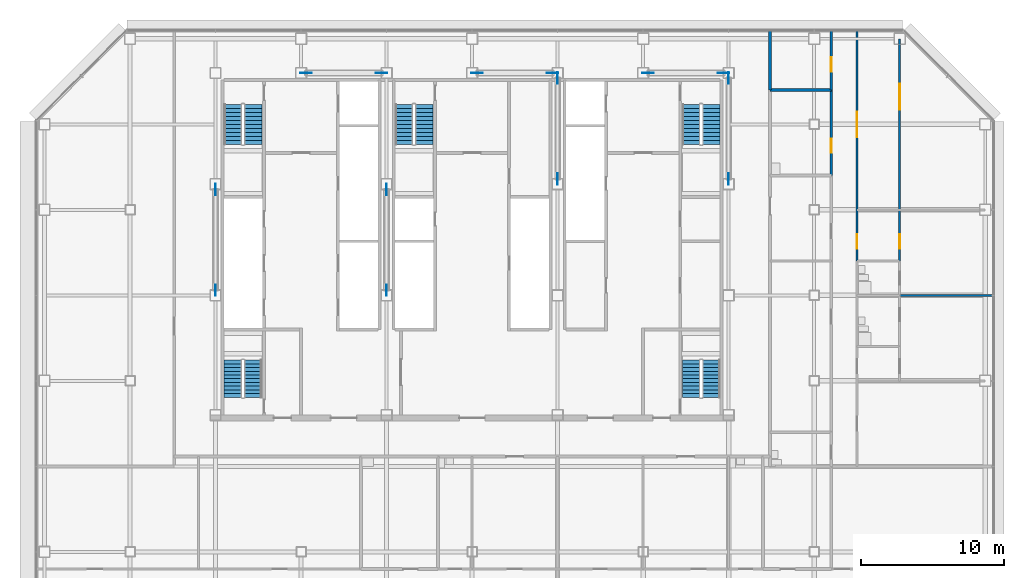
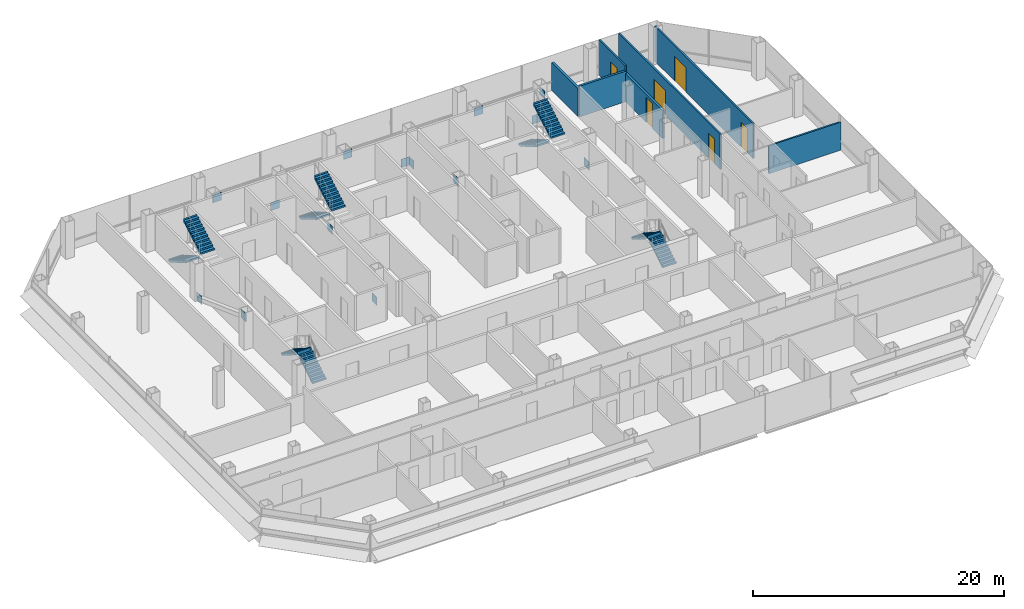
# One storey, part 23 of 25: 14 discrete accessories, 10 stair flights, 7 walls, 6 doors, 6 openings, 5 elements without a shape of their own.
"""IFC4 building model written with IfcOpenShell, lengths in metres."""

from ifc_helpers import new_model, si_unit, direction, frame, frame_2d, origin, origin_2d, place, context, subcontext, project, spatial, polyline, rectangle, outline, extrude, material, layer, layer_set, type_object, element, fill, aggregate, save


model = new_model("IFC4")

# Units and contexts
model_context = context("Model", 3, precision=1e-05, world=origin(), true_north=direction((0.0, 1.0)))
body_context = subcontext(model_context, "Body", "Model", "MODEL_VIEW")
ifc_project = project(units=[si_unit("LENGTHUNIT", "METRE"), si_unit("AREAUNIT", "SQUARE_METRE"), si_unit("VOLUMEUNIT", "CUBIC_METRE"), si_unit("PLANEANGLEUNIT", "RADIAN"), si_unit("MASSUNIT", "GRAM", prefix="KILO")], contexts=[model_context])

# Site, building, storey
site_placement = place(None, origin())
site = spatial("IfcSite", under=ifc_project, at=site_placement, CompositionType="ELEMENT")
building_placement = place(site_placement, origin())
building = spatial("IfcBuilding", under=site, at=building_placement, Name="Sorahane Residences", CompositionType="ELEMENT")
storey_placement = place(building_placement, frame((0.0, 0.0, 107.0)))
storey = spatial("IfcBuildingStorey", under=building, at=storey_placement, Name="L23", CompositionType="ELEMENT", Elevation=107.0)

# Wall
ifc_material_1 = material(Name="Concrete blockwork C20 wall", Category="masonry")
ifc_layer_1 = layer(ifc_material_1, 0.199951171875)
ifc_layer_set_1 = layer_set([ifc_layer_1], Name="Corridor wall 200 EI 120")
wall_type_1 = type_object("IfcWallType", Name="Corridor wall 200 EI 120", PredefinedType="SOLIDWALL", material=ifc_layer_set_1)
wall_1_placement = place(storey_placement, frame((44.89990234375, 44.39990234375, 0.0), z_axis=(0.0, 0.0, 1.0), x_axis=(0.0, 1.0, 0.0)))
element("IfcWall", 1, at=wall_1_placement, inside=storey, type_object=wall_type_1, Name="L23 corridor wall", PredefinedType="SOLIDWALL", context=body_context, shape_type="SweptSolid", body=[
    extrude(rectangle(XDim=4.2001953125, YDim=0.199951171875, at=frame_2d((2.10009765625, 0.0))), origin(), (0.0, 0.0, 1.0), 2.719970703125),
])

# Wall, opening, door
ifc_material_2 = material(Name="Concrete blockwork C20 wall", Category="masonry")
ifc_layer_2 = layer(ifc_material_2, 0.199951171875)
ifc_layer_set_2 = layer_set([ifc_layer_2], Name="Kitchen wall 200 EI 180")
wall_type_2 = type_object("IfcWallType", Name="Kitchen wall 200 EI 180", PredefinedType="SOLIDWALL", material=ifc_layer_set_2)
wall_2_placement = place(storey_placement, frame((49.199951171875, 38.39990234375, 0.0), z_axis=(0.0, 0.0, 1.0), x_axis=(0.0, 1.0, 0.0)))
wall_2 = element("IfcWall", 2, at=wall_2_placement, inside=storey, type_object=wall_type_2, Name="L23 kitchen wall", PredefinedType="SOLIDWALL", context=body_context, shape_type="SweptSolid", body=[
    extrude(rectangle(XDim=6.0, YDim=0.199951171875, at=frame_2d((3.0, 0.0))), origin(), (0.0, 0.0, 1.0), 2.719970703125),
])
opening_1_placement = place(wall_2_placement, frame((1.60009765625, 0.0, 0.0)))
opening_1 = element("IfcOpeningElement", 3, at=opening_1_placement, cuts=wall_2, Name="Opening L23-33", PredefinedType="OPENING", context=body_context, shape_type="SweptSolid", body=[
    extrude(rectangle(XDim=1.0, YDim=2.39990234375, at=frame_2d((0.5, 1.199951171875))), frame((0.0, 0.10986328125, 0.0), z_axis=(0.0, -1.0, 0.0), x_axis=(1.0, 0.0, 0.0)), (0.0, 0.0, 1.0), 0.219970703125),
])
ifc_material_3 = material(Name="Steel", Category="steel")
door_type_1 = type_object("IfcDoorType", Name="Kitchen door 1000x2400 FD120", OperationType="NOTDEFINED", PredefinedType="DOOR", material=ifc_material_3)
door_1_placement = place(opening_1_placement, origin())
door_1 = element("IfcDoor", 4, at=door_1_placement, inside=storey, type_object=door_type_1, Name="Kitchen door L23-33", OperationType="SINGLE_SWING_LEFT", OverallHeight=2.39990234375, OverallWidth=1.0, PredefinedType="DOOR", context=body_context, shape_type="SweptSolid", body=[
    extrude(rectangle(XDim=1.0, YDim=2.39990234375, at=frame_2d((0.5, 1.199951171875))), frame((0.0, 0.02490234375, 0.0), z_axis=(0.0, -1.0, 0.0), x_axis=(1.0, 0.0, 0.0)), (0.0, 0.0, 1.0), 0.050048828125),
])
fill(opening_1, door_1)

# Wall
wall_3_placement = place(storey_placement, frame((44.89990234375, 44.39990234375, 0.0), z_axis=(0.0, 0.0, 1.0), x_axis=(1.0, 0.0, 0.0)))
element("IfcWall", 5, at=wall_3_placement, inside=storey, type_object=wall_type_2, Name="L23 kitchen wall", PredefinedType="SOLIDWALL", context=body_context, shape_type="SweptSolid", body=[
    extrude(rectangle(XDim=4.300048828125, YDim=0.199951171875, at=frame_2d((2.14990234375, 0.0))), origin(), (0.0, 0.0, 1.0), 2.969970703125),
])

# Wall, opening, door
ifc_material_4 = material(Name="Gypsum board partition on steel studs", Category="steel")
ifc_layer_3 = layer(ifc_material_4, 0.14990234375)
ifc_layer_set_3 = layer_set([ifc_layer_3], Name="Partition 150 EI 90")
wall_type_3 = type_object("IfcWallType", Name="Partition 150 EI 90", PredefinedType="PARTITIONING", material=ifc_layer_set_3)
wall_4_placement = place(storey_placement, frame((49.199951171875, 44.39990234375, 0.0), z_axis=(0.0, 0.0, 1.0), x_axis=(0.0, 1.0, 0.0)))
wall_4 = element("IfcWall", 6, at=wall_4_placement, inside=storey, type_object=wall_type_3, Name="L23 partition", PredefinedType="PARTITIONING", context=body_context, shape_type="SweptSolid", body=[
    extrude(rectangle(XDim=4.2001953125, YDim=0.14990234375, at=frame_2d((2.10009765625, 0.0))), origin(), (0.0, 0.0, 1.0), 3.419921875),
])
opening_2_placement = place(wall_4_placement, frame((1.300048828125, 0.0, 0.0)))
opening_2 = element("IfcOpeningElement", 7, at=opening_2_placement, cuts=wall_4, Name="Opening L23-34", PredefinedType="OPENING", context=body_context, shape_type="SweptSolid", body=[
    extrude(rectangle(XDim=1.0, YDim=2.39990234375, at=frame_2d((0.5, 1.199951171875))), frame((0.0, 0.0849609375, 0.0), z_axis=(0.0, -1.0, 0.0), x_axis=(1.0, 0.0, 0.0)), (0.0, 0.0, 1.0), 0.169921875),
])
ifc_material_5 = material(Name="Timber veneered fire door", Category="wood")
door_type_2 = type_object("IfcDoorType", Name="Room door 1000x2400 FD30", OperationType="NOTDEFINED", PredefinedType="DOOR", material=ifc_material_5)
door_2_placement = place(opening_2_placement, origin())
door_2 = element("IfcDoor", 8, at=door_2_placement, inside=storey, type_object=door_type_2, Name="Room door L23-34", OperationType="SINGLE_SWING_LEFT", OverallHeight=2.39990234375, OverallWidth=1.0, PredefinedType="DOOR", context=body_context, shape_type="SweptSolid", body=[
    extrude(rectangle(XDim=1.0, YDim=2.39990234375, at=frame_2d((0.5, 1.199951171875))), frame((0.0, 0.02490234375, 0.0), z_axis=(0.0, -1.0, 0.0), x_axis=(1.0, 0.0, 0.0)), (0.0, 0.0, 1.0), 0.050048828125),
])
fill(opening_2, door_2)

# Wall, openings, doors
wall_5_placement = place(storey_placement, frame((51.0, 32.39990234375, 0.0), z_axis=(0.0, 0.0, 1.0), x_axis=(0.0, 1.0, 0.0)))
wall_5 = element("IfcWall", 9, at=wall_5_placement, inside=storey, type_object=wall_type_3, Name="L23 partition", PredefinedType="PARTITIONING", context=body_context, shape_type="SweptSolid", body=[
    extrude(rectangle(XDim=16.2001953125, YDim=0.14990234375, at=frame_2d((8.10009765625, 0.0))), origin(), (0.0, 0.0, 1.0), 3.419921875),
])
opening_3_placement = place(wall_5_placement, frame((0.8798828125, 0.0, 0.0)))
opening_3 = element("IfcOpeningElement", 10, at=opening_3_placement, cuts=wall_5, Name="Opening L23-37", PredefinedType="OPENING", context=body_context, shape_type="SweptSolid", body=[
    extrude(rectangle(XDim=1.0, YDim=2.39990234375, at=frame_2d((0.5, 1.199951171875))), frame((0.0, 0.0849609375, 0.0), z_axis=(0.0, -1.0, 0.0), x_axis=(1.0, 0.0, 0.0)), (0.0, 0.0, 1.0), 0.169921875),
])
opening_4_placement = place(wall_5_placement, frame((8.699951171875, 0.0, 0.0)))
opening_4 = element("IfcOpeningElement", 11, at=opening_4_placement, cuts=wall_5, Name="Opening L23-38", PredefinedType="OPENING", context=body_context, shape_type="SweptSolid", body=[
    extrude(rectangle(XDim=1.800048828125, YDim=2.39990234375, at=frame_2d((0.89990234375, 1.199951171875))), frame((0.0, 0.0849609375, 0.0), z_axis=(0.0, -1.0, 0.0), x_axis=(1.0, 0.0, 0.0)), (0.0, 0.0, 1.0), 0.169921875),
])
ifc_material_6 = material(Name="Timber veneered fire door", Category="wood")
door_type_3 = type_object("IfcDoorType", Name="Double door 1800x2400 FD30", OperationType="NOTDEFINED", PredefinedType="DOOR", material=ifc_material_6)
door_3_placement = place(opening_4_placement, frame((1.800048828125, 0.0, 0.0), z_axis=(0.0, 0.0, 1.0), x_axis=(-1.0, 0.0, 0.0)))
door_3 = element("IfcDoor", 12, at=door_3_placement, inside=storey, type_object=door_type_3, Name="Double door L23-38", OperationType="SINGLE_SWING_LEFT", OverallHeight=2.39990234375, OverallWidth=1.800048828125, PredefinedType="DOOR", context=body_context, shape_type="SweptSolid", body=[
    extrude(rectangle(XDim=1.800048828125, YDim=2.39990234375, at=frame_2d((0.89990234375, 1.199951171875))), frame((0.0, 0.02490234375, 0.0), z_axis=(0.0, -1.0, 0.0), x_axis=(1.0, 0.0, 0.0)), (0.0, 0.0, 1.0), 0.050048828125),
])
fill(opening_4, door_3)
door_4_placement = place(opening_3_placement, frame((1.0, 0.0, 0.0), z_axis=(0.0, 0.0, 1.0), x_axis=(-1.0, 0.0, 0.0)))
door_4 = element("IfcDoor", 13, at=door_4_placement, inside=storey, type_object=door_type_2, Name="Room door L23-37", OperationType="SINGLE_SWING_LEFT", OverallHeight=2.39990234375, OverallWidth=1.0, PredefinedType="DOOR", context=body_context, shape_type="SweptSolid", body=[
    extrude(rectangle(XDim=1.0, YDim=2.39990234375, at=frame_2d((0.5, 1.199951171875))), frame((0.0, 0.02490234375, 0.0), z_axis=(0.0, -1.0, 0.0), x_axis=(1.0, 0.0, 0.0)), (0.0, 0.0, 1.0), 0.050048828125),
])
fill(opening_3, door_4)

wall_6_placement = place(storey_placement, frame((54.0, 32.39990234375, 0.0), z_axis=(0.0, 0.0, 1.0), x_axis=(0.0, 1.0, 0.0)))
wall_6 = element("IfcWall", 14, at=wall_6_placement, inside=storey, type_object=wall_type_3, Name="L23 partition", PredefinedType="PARTITIONING", context=body_context, shape_type="SweptSolid", body=[
    extrude(rectangle(XDim=15.60009765625, YDim=0.14990234375, at=frame_2d((7.800048828125, 0.0))), origin(), (0.0, 0.0, 1.0), 3.419921875),
])
opening_5_placement = place(wall_6_placement, frame((0.8798828125, 0.0, 0.0)))
opening_5 = element("IfcOpeningElement", 15, at=opening_5_placement, cuts=wall_6, Name="Opening L23-41", PredefinedType="OPENING", context=body_context, shape_type="SweptSolid", body=[
    extrude(rectangle(XDim=1.0, YDim=2.39990234375, at=frame_2d((0.5, 1.199951171875))), frame((0.0, 0.0849609375, 0.0), z_axis=(0.0, -1.0, 0.0), x_axis=(1.0, 0.0, 0.0)), (0.0, 0.0, 1.0), 0.169921875),
])
opening_6_placement = place(wall_6_placement, frame((10.639892578125, 0.0, 0.0)))
opening_6 = element("IfcOpeningElement", 16, at=opening_6_placement, cuts=wall_6, Name="Opening L23-43", PredefinedType="OPENING", context=body_context, shape_type="SweptSolid", body=[
    extrude(rectangle(XDim=1.800048828125, YDim=2.39990234375, at=frame_2d((0.89990234375, 1.199951171875))), frame((0.0, 0.0849609375, 0.0), z_axis=(0.0, -1.0, 0.0), x_axis=(1.0, 0.0, 0.0)), (0.0, 0.0, 1.0), 0.169921875),
])
door_5_placement = place(opening_6_placement, frame((1.800048828125, 0.0, 0.0), z_axis=(0.0, 0.0, 1.0), x_axis=(-1.0, 0.0, 0.0)))
door_5 = element("IfcDoor", 17, at=door_5_placement, inside=storey, type_object=door_type_3, Name="Double door L23-43", OperationType="SINGLE_SWING_RIGHT", OverallHeight=2.39990234375, OverallWidth=1.800048828125, PredefinedType="DOOR", context=body_context, shape_type="SweptSolid", body=[
    extrude(rectangle(XDim=1.800048828125, YDim=2.39990234375, at=frame_2d((0.89990234375, 1.199951171875))), frame((0.0, 0.02490234375, 0.0), z_axis=(0.0, -1.0, 0.0), x_axis=(1.0, 0.0, 0.0)), (0.0, 0.0, 1.0), 0.050048828125),
])
fill(opening_6, door_5)
door_6_placement = place(opening_5_placement, frame((1.0, 0.0, 0.0), z_axis=(0.0, 0.0, 1.0), x_axis=(-1.0, 0.0, 0.0)))
door_6 = element("IfcDoor", 18, at=door_6_placement, inside=storey, type_object=door_type_2, Name="Room door L23-41", OperationType="SINGLE_SWING_RIGHT", OverallHeight=2.39990234375, OverallWidth=1.0, PredefinedType="DOOR", context=body_context, shape_type="SweptSolid", body=[
    extrude(rectangle(XDim=1.0, YDim=2.39990234375, at=frame_2d((0.5, 1.199951171875))), frame((0.0, 0.02490234375, 0.0), z_axis=(0.0, -1.0, 0.0), x_axis=(1.0, 0.0, 0.0)), (0.0, 0.0, 1.0), 0.050048828125),
])
fill(opening_5, door_6)

# Wall
wall_7_placement = place(storey_placement, frame((54.0, 30.0, 0.0), z_axis=(0.0, 0.0, 1.0), x_axis=(1.0, 0.0, 0.0)))
element("IfcWall", 19, at=wall_7_placement, inside=storey, type_object=wall_type_3, Name="L23 partition", PredefinedType="PARTITIONING", context=body_context, shape_type="SweptSolid", body=[
    extrude(rectangle(XDim=6.60009765625, YDim=0.14990234375, at=frame_2d((3.300048828125, 0.0))), origin(), (0.0, 0.0, 1.0), 2.719970703125),
])

# Stair, stair flights
ifc_material_7 = material(Name="Concrete C40", Category="concrete")
stair_type = type_object("IfcStairType", Name="Dog-leg stair 1250 Concrete C40", PredefinedType="HALF_TURN_STAIR", material=ifc_material_7)
stair_1_placement = place(storey_placement, origin())
stair_1 = element("IfcStair", 20, at=stair_1_placement, inside=storey, type_object=stair_type, Name="L23 Stair S1", PredefinedType="HALF_TURN_STAIR")
ifc_material_8 = material(Name="Concrete C40", Category="concrete")
stair_flight_type = type_object("IfcStairFlightType", Name="Stair flight 1250 Concrete C40", PredefinedType="STRAIGHT", material=ifc_material_8)
stair_flight_1_placement = place(storey_placement, frame((7.22509765625, 43.39990234375, 0.0), z_axis=(0.0, 0.0, 1.0), x_axis=(0.0, -1.0, 0.0)))
stair_flight_1 = element("IfcStairFlight", 21, at=stair_flight_1_placement, type_object=stair_flight_type, Name="S1 flight 1", NumberOfRisers=11, NumberOfTreads=10, PredefinedType="STRAIGHT", RiserHeight=0.163636364, TreadLength=0.28, context=body_context, shape_type="SweptSolid", body=[
    extrude(outline(polyline([(-0.00146484375, 0.0), (-0.00146484375, 0.16357421875), (0.0, 0.16357421875), (0.280029296875, 0.16357421875), (0.280029296875, 0.327392578125), (0.56005859375, 0.327392578125), (0.56005859375, 0.490966796875), (0.840087890625, 0.490966796875), (0.840087890625, 0.654541015625), (1.1201171875, 0.654541015625), (1.1201171875, 0.818115234375), (1.39990234375, 0.818115234375), (1.39990234375, 0.98193359375), (1.679931640625, 0.98193359375), (1.679931640625, 1.1455078125), (1.9599609375, 1.1455078125), (1.9599609375, 1.30908203125), (2.239990234375, 1.30908203125), (2.239990234375, 1.47265625), (2.52001953125, 1.47265625), (2.52001953125, 1.636474609375), (2.800048828125, 1.636474609375), (2.800048828125, 1.800048828125), (2.800048828125, 1.462646484375), (2.59130859375, 1.3408203125), (2.3828125, 1.218994140625), (2.17431640625, 1.09716796875), (1.965576171875, 0.97509765625), (1.757080078125, 0.853271484375), (1.548583984375, 0.7314453125), (1.340087890625, 0.609375), (1.13134765625, 0.487548828125), (0.9228515625, 0.36572265625), (0.71435546875, 0.243896484375), (0.505615234375, 0.121826171875), (0.297119140625, 0.0), (-0.00146484375, 0.0)])), frame((0.0, 0.625, 0.0), z_axis=(0.0, -1.0, 0.0), x_axis=(1.0, 0.0, 0.0)), (0.0, 0.0, 1.0), 1.25),
])
stair_flight_2_placement = place(storey_placement, frame((8.625, 40.60009765625, 1.800048828125), z_axis=(0.0, 0.0, 1.0), x_axis=(0.0, 1.0, 0.0)))
stair_flight_2 = element("IfcStairFlight", 22, at=stair_flight_2_placement, type_object=stair_flight_type, Name="S1 flight 2", NumberOfRisers=11, NumberOfTreads=10, PredefinedType="STRAIGHT", RiserHeight=0.163636364, TreadLength=0.28, context=body_context, shape_type="SweptSolid", body=[
    extrude(outline(polyline([(0.0, 0.0), (0.0, 0.16357421875), (0.280029296875, 0.16357421875), (0.280029296875, 0.327392578125), (0.56005859375, 0.327392578125), (0.56005859375, 0.490966796875), (0.840087890625, 0.490966796875), (0.840087890625, 0.654541015625), (1.1201171875, 0.654541015625), (1.1201171875, 0.818115234375), (1.39990234375, 0.818115234375), (1.39990234375, 0.98193359375), (1.679931640625, 0.98193359375), (1.679931640625, 1.1455078125), (1.9599609375, 1.1455078125), (1.9599609375, 1.30908203125), (2.239990234375, 1.30908203125), (2.239990234375, 1.47265625), (2.52001953125, 1.47265625), (2.52001953125, 1.636474609375), (2.800048828125, 1.636474609375), (2.800048828125, 1.800048828125), (2.801513671875, 1.800048828125), (2.801513671875, 1.462646484375), (2.5927734375, 1.3408203125), (2.384033203125, 1.218994140625), (2.17529296875, 1.09716796875), (1.966796875, 0.97509765625), (1.758056640625, 0.853271484375), (1.54931640625, 0.7314453125), (1.340576171875, 0.609375), (1.1318359375, 0.487548828125), (0.923095703125, 0.36572265625), (0.714599609375, 0.243896484375), (0.505859375, 0.121826171875), (0.297119140625, 0.0), (0.0, 0.0)])), frame((0.0, 0.625, 0.0), z_axis=(0.0, -1.0, 0.0), x_axis=(1.0, 0.0, 0.0)), (0.0, 0.0, 1.0), 1.25),
])
aggregate(stair_1, [stair_flight_1, stair_flight_2])

stair_2_placement = place(storey_placement, origin())
stair_2 = element("IfcStair", 23, at=stair_2_placement, inside=storey, type_object=stair_type, Name="L23 Stair S2", PredefinedType="HALF_TURN_STAIR")
stair_flight_3_placement = place(storey_placement, frame((39.375, 43.39990234375, 0.0), z_axis=(0.0, 0.0, 1.0), x_axis=(0.0, -1.0, 0.0)))
stair_flight_3 = element("IfcStairFlight", 24, at=stair_flight_3_placement, type_object=stair_flight_type, Name="S2 flight 1", NumberOfRisers=11, NumberOfTreads=10, PredefinedType="STRAIGHT", RiserHeight=0.163636364, TreadLength=0.28, context=body_context, shape_type="SweptSolid", body=[
    extrude(outline(polyline([(-0.00146484375, 0.0), (-0.00146484375, 0.16357421875), (0.0, 0.16357421875), (0.280029296875, 0.16357421875), (0.280029296875, 0.327392578125), (0.56005859375, 0.327392578125), (0.56005859375, 0.490966796875), (0.840087890625, 0.490966796875), (0.840087890625, 0.654541015625), (1.1201171875, 0.654541015625), (1.1201171875, 0.818115234375), (1.39990234375, 0.818115234375), (1.39990234375, 0.98193359375), (1.679931640625, 0.98193359375), (1.679931640625, 1.1455078125), (1.9599609375, 1.1455078125), (1.9599609375, 1.30908203125), (2.239990234375, 1.30908203125), (2.239990234375, 1.47265625), (2.52001953125, 1.47265625), (2.52001953125, 1.636474609375), (2.800048828125, 1.636474609375), (2.800048828125, 1.800048828125), (2.800048828125, 1.462646484375), (2.59130859375, 1.3408203125), (2.3828125, 1.218994140625), (2.17431640625, 1.09716796875), (1.965576171875, 0.97509765625), (1.757080078125, 0.853271484375), (1.548583984375, 0.7314453125), (1.340087890625, 0.609375), (1.13134765625, 0.487548828125), (0.9228515625, 0.36572265625), (0.71435546875, 0.243896484375), (0.505615234375, 0.121826171875), (0.297119140625, 0.0), (-0.00146484375, 0.0)])), frame((0.0, 0.625, 0.0), z_axis=(0.0, -1.0, 0.0), x_axis=(1.0, 0.0, 0.0)), (0.0, 0.0, 1.0), 1.25),
])
stair_flight_4_placement = place(storey_placement, frame((40.77490234375, 40.60009765625, 1.800048828125), z_axis=(0.0, 0.0, 1.0), x_axis=(0.0, 1.0, 0.0)))
stair_flight_4 = element("IfcStairFlight", 25, at=stair_flight_4_placement, type_object=stair_flight_type, Name="S2 flight 2", NumberOfRisers=11, NumberOfTreads=10, PredefinedType="STRAIGHT", RiserHeight=0.163636364, TreadLength=0.28, context=body_context, shape_type="SweptSolid", body=[
    extrude(outline(polyline([(0.0, 0.0), (0.0, 0.16357421875), (0.280029296875, 0.16357421875), (0.280029296875, 0.327392578125), (0.56005859375, 0.327392578125), (0.56005859375, 0.490966796875), (0.840087890625, 0.490966796875), (0.840087890625, 0.654541015625), (1.1201171875, 0.654541015625), (1.1201171875, 0.818115234375), (1.39990234375, 0.818115234375), (1.39990234375, 0.98193359375), (1.679931640625, 0.98193359375), (1.679931640625, 1.1455078125), (1.9599609375, 1.1455078125), (1.9599609375, 1.30908203125), (2.239990234375, 1.30908203125), (2.239990234375, 1.47265625), (2.52001953125, 1.47265625), (2.52001953125, 1.636474609375), (2.800048828125, 1.636474609375), (2.800048828125, 1.800048828125), (2.801513671875, 1.800048828125), (2.801513671875, 1.462646484375), (2.5927734375, 1.3408203125), (2.384033203125, 1.218994140625), (2.17529296875, 1.09716796875), (1.966796875, 0.97509765625), (1.758056640625, 0.853271484375), (1.54931640625, 0.7314453125), (1.340576171875, 0.609375), (1.1318359375, 0.487548828125), (0.923095703125, 0.36572265625), (0.714599609375, 0.243896484375), (0.505859375, 0.121826171875), (0.297119140625, 0.0), (0.0, 0.0)])), frame((0.0, 0.625, 0.0), z_axis=(0.0, -1.0, 0.0), x_axis=(1.0, 0.0, 0.0)), (0.0, 0.0, 1.0), 1.25),
])
aggregate(stair_2, [stair_flight_3, stair_flight_4])

stair_3_placement = place(storey_placement, origin())
stair_3 = element("IfcStair", 26, at=stair_3_placement, inside=storey, type_object=stair_type, Name="L23 Stair S3", PredefinedType="HALF_TURN_STAIR")
stair_flight_5_placement = place(storey_placement, frame((19.22509765625, 43.39990234375, 0.0), z_axis=(0.0, 0.0, 1.0), x_axis=(0.0, -1.0, 0.0)))
stair_flight_5 = element("IfcStairFlight", 27, at=stair_flight_5_placement, type_object=stair_flight_type, Name="S3 flight 1", NumberOfRisers=11, NumberOfTreads=10, PredefinedType="STRAIGHT", RiserHeight=0.163636364, TreadLength=0.28, context=body_context, shape_type="SweptSolid", body=[
    extrude(outline(polyline([(-0.00146484375, 0.0), (-0.00146484375, 0.16357421875), (0.0, 0.16357421875), (0.280029296875, 0.16357421875), (0.280029296875, 0.327392578125), (0.56005859375, 0.327392578125), (0.56005859375, 0.490966796875), (0.840087890625, 0.490966796875), (0.840087890625, 0.654541015625), (1.1201171875, 0.654541015625), (1.1201171875, 0.818115234375), (1.39990234375, 0.818115234375), (1.39990234375, 0.98193359375), (1.679931640625, 0.98193359375), (1.679931640625, 1.1455078125), (1.9599609375, 1.1455078125), (1.9599609375, 1.30908203125), (2.239990234375, 1.30908203125), (2.239990234375, 1.47265625), (2.52001953125, 1.47265625), (2.52001953125, 1.636474609375), (2.800048828125, 1.636474609375), (2.800048828125, 1.800048828125), (2.800048828125, 1.462646484375), (2.59130859375, 1.3408203125), (2.3828125, 1.218994140625), (2.17431640625, 1.09716796875), (1.965576171875, 0.97509765625), (1.757080078125, 0.853271484375), (1.548583984375, 0.7314453125), (1.340087890625, 0.609375), (1.13134765625, 0.487548828125), (0.9228515625, 0.36572265625), (0.71435546875, 0.243896484375), (0.505615234375, 0.121826171875), (0.297119140625, 0.0), (-0.00146484375, 0.0)])), frame((0.0, 0.625, 0.0), z_axis=(0.0, -1.0, 0.0), x_axis=(1.0, 0.0, 0.0)), (0.0, 0.0, 1.0), 1.25),
])
stair_flight_6_placement = place(storey_placement, frame((20.625, 40.60009765625, 1.800048828125), z_axis=(0.0, 0.0, 1.0), x_axis=(0.0, 1.0, 0.0)))
stair_flight_6 = element("IfcStairFlight", 28, at=stair_flight_6_placement, type_object=stair_flight_type, Name="S3 flight 2", NumberOfRisers=11, NumberOfTreads=10, PredefinedType="STRAIGHT", RiserHeight=0.163636364, TreadLength=0.28, context=body_context, shape_type="SweptSolid", body=[
    extrude(outline(polyline([(0.0, 0.0), (0.0, 0.16357421875), (0.280029296875, 0.16357421875), (0.280029296875, 0.327392578125), (0.56005859375, 0.327392578125), (0.56005859375, 0.490966796875), (0.840087890625, 0.490966796875), (0.840087890625, 0.654541015625), (1.1201171875, 0.654541015625), (1.1201171875, 0.818115234375), (1.39990234375, 0.818115234375), (1.39990234375, 0.98193359375), (1.679931640625, 0.98193359375), (1.679931640625, 1.1455078125), (1.9599609375, 1.1455078125), (1.9599609375, 1.30908203125), (2.239990234375, 1.30908203125), (2.239990234375, 1.47265625), (2.52001953125, 1.47265625), (2.52001953125, 1.636474609375), (2.800048828125, 1.636474609375), (2.800048828125, 1.800048828125), (2.801513671875, 1.800048828125), (2.801513671875, 1.462646484375), (2.5927734375, 1.3408203125), (2.384033203125, 1.218994140625), (2.17529296875, 1.09716796875), (1.966796875, 0.97509765625), (1.758056640625, 0.853271484375), (1.54931640625, 0.7314453125), (1.340576171875, 0.609375), (1.1318359375, 0.487548828125), (0.923095703125, 0.36572265625), (0.714599609375, 0.243896484375), (0.505859375, 0.121826171875), (0.297119140625, 0.0), (0.0, 0.0)])), frame((0.0, 0.625, 0.0), z_axis=(0.0, -1.0, 0.0), x_axis=(1.0, 0.0, 0.0)), (0.0, 0.0, 1.0), 1.25),
])
aggregate(stair_3, [stair_flight_5, stair_flight_6])

stair_4_placement = place(storey_placement, origin())
stair_4 = element("IfcStair", 29, at=stair_4_placement, inside=storey, type_object=stair_type, Name="L23 Stair S4", PredefinedType="HALF_TURN_STAIR")
stair_flight_7_placement = place(storey_placement, frame((8.625, 22.85009765625, 0.0), z_axis=(0.0, 0.0, 1.0), x_axis=(0.0, 1.0, 0.0)))
stair_flight_7 = element("IfcStairFlight", 30, at=stair_flight_7_placement, type_object=stair_flight_type, Name="S4 flight 1", NumberOfRisers=11, NumberOfTreads=10, PredefinedType="STRAIGHT", RiserHeight=0.163636364, TreadLength=0.26, context=body_context, shape_type="SweptSolid", body=[
    extrude(outline(polyline([(-0.00146484375, 0.0), (-0.00146484375, 0.16357421875), (0.0, 0.16357421875), (0.260009765625, 0.16357421875), (0.260009765625, 0.327392578125), (0.52001953125, 0.327392578125), (0.52001953125, 0.490966796875), (0.780029296875, 0.490966796875), (0.780029296875, 0.654541015625), (1.0400390625, 0.654541015625), (1.0400390625, 0.818115234375), (1.300048828125, 0.818115234375), (1.300048828125, 0.98193359375), (1.56005859375, 0.98193359375), (1.56005859375, 1.1455078125), (1.820068359375, 1.1455078125), (1.820068359375, 1.30908203125), (2.080078125, 1.30908203125), (2.080078125, 1.47265625), (2.340087890625, 1.47265625), (2.340087890625, 1.636474609375), (2.60009765625, 1.636474609375), (2.60009765625, 1.800048828125), (2.60009765625, 1.494384765625), (2.402099609375, 1.369873046875), (2.204345703125, 1.245361328125), (2.00634765625, 1.120849609375), (1.80859375, 0.996337890625), (1.610595703125, 0.871826171875), (1.412841796875, 0.747314453125), (1.21484375, 0.622802734375), (1.01708984375, 0.498046875), (0.819091796875, 0.37353515625), (0.621337890625, 0.2490234375), (0.42333984375, 0.12451171875), (0.2255859375, 0.0), (-0.00146484375, 0.0)])), frame((0.0, 0.625, 0.0), z_axis=(0.0, -1.0, 0.0), x_axis=(1.0, 0.0, 0.0)), (0.0, 0.0, 1.0), 1.25),
])
stair_flight_8_placement = place(storey_placement, frame((7.22509765625, 25.449951171875, 1.800048828125), z_axis=(0.0, 0.0, 1.0), x_axis=(0.0, -1.0, 0.0)))
stair_flight_8 = element("IfcStairFlight", 31, at=stair_flight_8_placement, type_object=stair_flight_type, Name="S4 flight 2", NumberOfRisers=11, NumberOfTreads=10, PredefinedType="STRAIGHT", RiserHeight=0.163636364, TreadLength=0.26, context=body_context, shape_type="SweptSolid", body=[
    extrude(outline(polyline([(0.0, 0.0), (0.0, 0.16357421875), (0.260009765625, 0.16357421875), (0.260009765625, 0.327392578125), (0.52001953125, 0.327392578125), (0.52001953125, 0.490966796875), (0.780029296875, 0.490966796875), (0.780029296875, 0.654541015625), (1.0400390625, 0.654541015625), (1.0400390625, 0.818115234375), (1.300048828125, 0.818115234375), (1.300048828125, 0.98193359375), (1.56005859375, 0.98193359375), (1.56005859375, 1.1455078125), (1.820068359375, 1.1455078125), (1.820068359375, 1.30908203125), (2.080078125, 1.30908203125), (2.080078125, 1.47265625), (2.340087890625, 1.47265625), (2.340087890625, 1.636474609375), (2.60009765625, 1.636474609375), (2.60009765625, 1.800048828125), (2.6015625, 1.800048828125), (2.6015625, 1.494384765625), (2.403564453125, 1.369873046875), (2.20556640625, 1.245361328125), (2.007568359375, 1.120849609375), (1.8095703125, 0.996337890625), (1.611572265625, 0.871826171875), (1.41357421875, 0.747314453125), (1.215576171875, 0.622802734375), (1.017578125, 0.498046875), (0.819580078125, 0.37353515625), (0.62158203125, 0.2490234375), (0.423583984375, 0.12451171875), (0.2255859375, 0.0), (0.0, 0.0)])), frame((0.0, 0.625, 0.0), z_axis=(0.0, -1.0, 0.0), x_axis=(1.0, 0.0, 0.0)), (0.0, 0.0, 1.0), 1.25),
])
aggregate(stair_4, [stair_flight_7, stair_flight_8])

stair_5_placement = place(storey_placement, origin())
stair_5 = element("IfcStair", 32, at=stair_5_placement, inside=storey, type_object=stair_type, Name="L23 Stair S5", PredefinedType="HALF_TURN_STAIR")
stair_flight_9_placement = place(storey_placement, frame((40.77490234375, 22.85009765625, 0.0), z_axis=(0.0, 0.0, 1.0), x_axis=(0.0, 1.0, 0.0)))
stair_flight_9 = element("IfcStairFlight", 33, at=stair_flight_9_placement, type_object=stair_flight_type, Name="S5 flight 1", NumberOfRisers=11, NumberOfTreads=10, PredefinedType="STRAIGHT", RiserHeight=0.163636364, TreadLength=0.26, context=body_context, shape_type="SweptSolid", body=[
    extrude(outline(polyline([(-0.00146484375, 0.0), (-0.00146484375, 0.16357421875), (0.0, 0.16357421875), (0.260009765625, 0.16357421875), (0.260009765625, 0.327392578125), (0.52001953125, 0.327392578125), (0.52001953125, 0.490966796875), (0.780029296875, 0.490966796875), (0.780029296875, 0.654541015625), (1.0400390625, 0.654541015625), (1.0400390625, 0.818115234375), (1.300048828125, 0.818115234375), (1.300048828125, 0.98193359375), (1.56005859375, 0.98193359375), (1.56005859375, 1.1455078125), (1.820068359375, 1.1455078125), (1.820068359375, 1.30908203125), (2.080078125, 1.30908203125), (2.080078125, 1.47265625), (2.340087890625, 1.47265625), (2.340087890625, 1.636474609375), (2.60009765625, 1.636474609375), (2.60009765625, 1.800048828125), (2.60009765625, 1.494384765625), (2.402099609375, 1.369873046875), (2.204345703125, 1.245361328125), (2.00634765625, 1.120849609375), (1.80859375, 0.996337890625), (1.610595703125, 0.871826171875), (1.412841796875, 0.747314453125), (1.21484375, 0.622802734375), (1.01708984375, 0.498046875), (0.819091796875, 0.37353515625), (0.621337890625, 0.2490234375), (0.42333984375, 0.12451171875), (0.2255859375, 0.0), (-0.00146484375, 0.0)])), frame((0.0, 0.625, 0.0), z_axis=(0.0, -1.0, 0.0), x_axis=(1.0, 0.0, 0.0)), (0.0, 0.0, 1.0), 1.25),
])
stair_flight_10_placement = place(storey_placement, frame((39.375, 25.449951171875, 1.800048828125), z_axis=(0.0, 0.0, 1.0), x_axis=(0.0, -1.0, 0.0)))
stair_flight_10 = element("IfcStairFlight", 34, at=stair_flight_10_placement, type_object=stair_flight_type, Name="S5 flight 2", NumberOfRisers=11, NumberOfTreads=10, PredefinedType="STRAIGHT", RiserHeight=0.163636364, TreadLength=0.26, context=body_context, shape_type="SweptSolid", body=[
    extrude(outline(polyline([(0.0, 0.0), (0.0, 0.16357421875), (0.260009765625, 0.16357421875), (0.260009765625, 0.327392578125), (0.52001953125, 0.327392578125), (0.52001953125, 0.490966796875), (0.780029296875, 0.490966796875), (0.780029296875, 0.654541015625), (1.0400390625, 0.654541015625), (1.0400390625, 0.818115234375), (1.300048828125, 0.818115234375), (1.300048828125, 0.98193359375), (1.56005859375, 0.98193359375), (1.56005859375, 1.1455078125), (1.820068359375, 1.1455078125), (1.820068359375, 1.30908203125), (2.080078125, 1.30908203125), (2.080078125, 1.47265625), (2.340087890625, 1.47265625), (2.340087890625, 1.636474609375), (2.60009765625, 1.636474609375), (2.60009765625, 1.800048828125), (2.6015625, 1.800048828125), (2.6015625, 1.494384765625), (2.403564453125, 1.369873046875), (2.20556640625, 1.245361328125), (2.007568359375, 1.120849609375), (1.8095703125, 0.996337890625), (1.611572265625, 0.871826171875), (1.41357421875, 0.747314453125), (1.215576171875, 0.622802734375), (1.017578125, 0.498046875), (0.819580078125, 0.37353515625), (0.62158203125, 0.2490234375), (0.423583984375, 0.12451171875), (0.2255859375, 0.0), (0.0, 0.0)])), frame((0.0, 0.625, 0.0), z_axis=(0.0, -1.0, 0.0), x_axis=(1.0, 0.0, 0.0)), (0.0, 0.0, 1.0), 1.25),
])
aggregate(stair_5, [stair_flight_9, stair_flight_10])

# Discrete accessories
ifc_material_9 = material(Name="Steel Q355B", Category="steel")
ifc_layer_4 = layer(ifc_material_9, 0.02490234375)
ifc_layer_set_4 = layer_set([ifc_layer_4], Name="Node plate Steel Q355B 25")
discrete_accessory_type = type_object("IfcDiscreteAccessoryType", Name="Node plate Steel Q355B 25", PredefinedType="BRACKET", material=ifc_layer_set_4)
for number, where, z_axis, x_axis, name in (
    (35, (6.0, 37.44140625, -0.21533203125), (0.0, 0.0, 1.0), (0.0, 1.0, 0.0), "Node plate L23 br"),
    (36, (6.0, 30.358642578125, 2.38525390625), (0.0, 0.0, 1.0), (0.0, 1.0, 0.0), "Node plate L23 br"),
    (37, (18.0, 30.358642578125, -0.21533203125), (0.0, 0.0, 1.0), (0.0, 1.0, 0.0), "Node plate L23 br"),
    (38, (18.0, 37.44140625, 2.38525390625), (0.0, 0.0, 1.0), (0.0, 1.0, 0.0), "Node plate L23 br"),
    (39, (30.0, 45.241455078125, -0.21533203125), (0.0, 0.0, 1.0), (0.0, 1.0, 0.0), "Node plate L23 br"),
    (40, (30.0, 38.15869140625, 2.38525390625), (0.0, 0.0, 1.0), (0.0, 1.0, 0.0), "Node plate L23 br"),
    (41, (42.0, 38.15869140625, -0.21533203125), (0.0, 0.0, 1.0), (0.0, 1.0, 0.0), "Node plate L23 br"),
    (42, (42.0, 45.241455078125, 2.38525390625), (0.0, 0.0, 1.0), (0.0, 1.0, 0.0), "Node plate L23 br"),
    (43, (17.6533203125, 45.60009765625, -0.2265625), (0.0, 0.0, 1.0), (1.0, 0.0, 0.0), "Node plate L23 br"),
    (44, (29.6533203125, 45.60009765625, -0.2265625), (0.0, 0.0, 1.0), (1.0, 0.0, 0.0), "Node plate L23 br"),
    (45, (41.6533203125, 45.60009765625, -0.2265625), (0.0, 0.0, 1.0), (1.0, 0.0, 0.0), "Node plate L23 br"),
    (46, (12.3466796875, 45.60009765625, 2.396484375), (0.0, 0.0, 1.0), (1.0, 0.0, 0.0), "Node plate L23 br"),
    (47, (24.3466796875, 45.60009765625, 2.396484375), (0.0, 0.0, 1.0), (1.0, 0.0, 0.0), "Node plate L23 br"),
    (48, (36.3466796875, 45.60009765625, 2.396484375), (0.0, 0.0, 1.0), (1.0, 0.0, 0.0), "Node plate L23 br"),
):
    element("IfcDiscreteAccessory", number, at=place(storey_placement, frame(where, z_axis=z_axis, x_axis=x_axis)), inside=storey, type_object=discrete_accessory_type, Name=name, PredefinedType="BRACKET", context=body_context, shape_type="SweptSolid", body=[
        extrude(rectangle(XDim=0.800048828125, YDim=0.02490234375, at=origin_2d()), origin(), (0.0, 0.0, 1.0), 0.800048828125),
    ])

save(model, "model.ifc")
